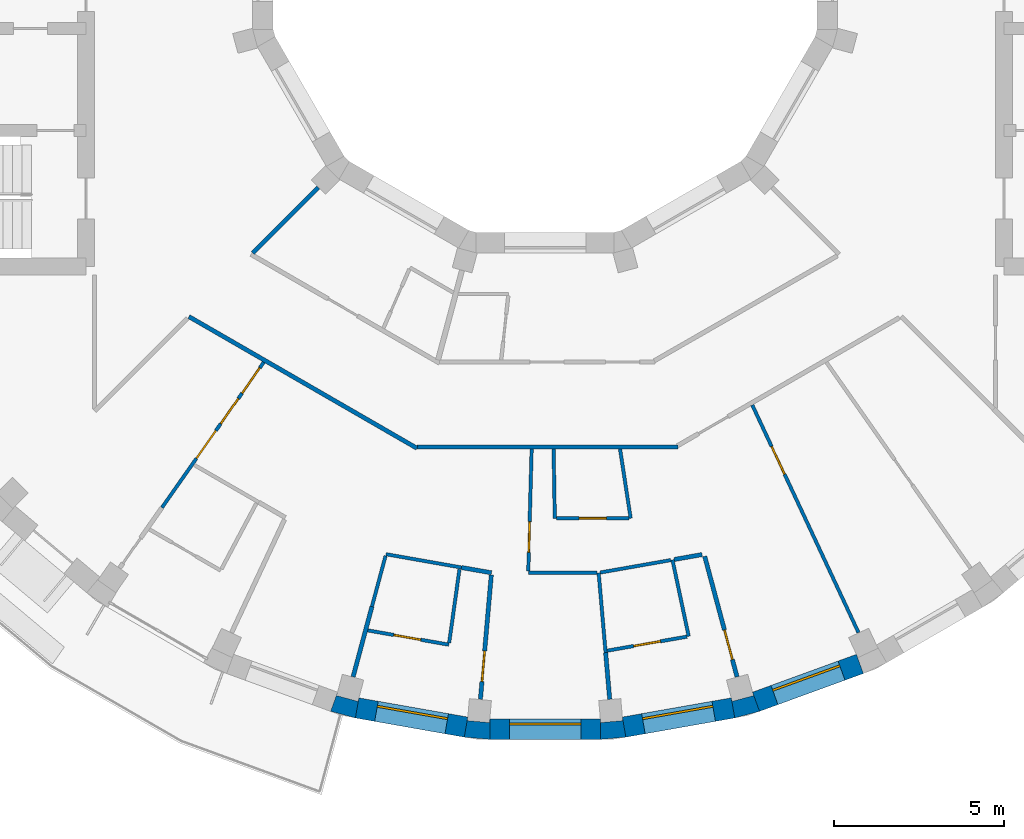
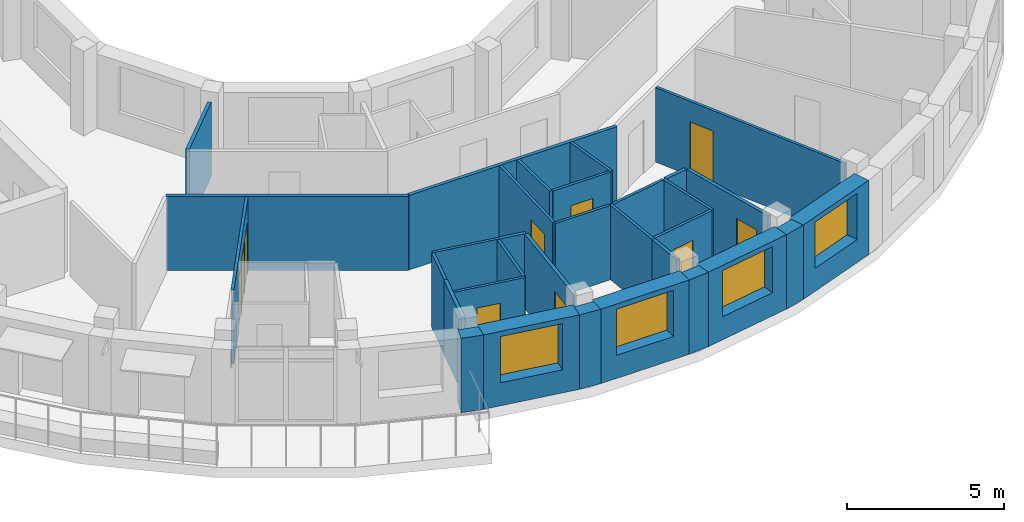
# One storey, part 4 of 12: 32 walls, 10 doors, 4 windows, 14 openings.
"""IFC4 building model written with IfcOpenShell, lengths in metres."""

import ifcopenshell
import ifcopenshell.guid

model = None  # the IFC model being written
_history = None  # IfcOwnerHistory: only IFC2X3 demands one
_inside = {}  # id of a spatial element -> (the spatial element, [elements in it])
_under = {}  # id of a project, library or spatial element -> (it, [spatial elements below it])
_declared = {}  # id of a project -> (the project, [libraries it declares])
_typed = {}  # id of a type object -> (the type object, [elements of that type])
_made_of = {}  # id of a material, layer set ... -> (it, [elements and type objects made of it])


def new_model(schema):
    """Start an empty IFC model of exactly this schema.

    Asked for "IFC4X3", IfcOpenShell would pick the latest addendum, in which some entities
    have other attributes; the version numbers below select the first issue.
    IFC2X3 requires an IfcOwnerHistory on every rooted entity: one is made here for all.
    """
    global model, _history
    if schema == "IFC4X3":
        model = ifcopenshell.file(schema_version=(4, 3, 0, 0))
    else:
        model = ifcopenshell.file(schema=schema)
    _inside.clear()
    _under.clear()
    _declared.clear()
    _typed.clear()
    _made_of.clear()
    _history = None
    if model.schema == "IFC2X3":
        org = make("IfcOrganization", Name="unknown")
        user = make(
            "IfcPersonAndOrganization",
            ThePerson=make("IfcPerson", FamilyName="unknown"),
            TheOrganization=org,
        )
        app = make(
            "IfcApplication",
            ApplicationDeveloper=org,
            Version="unknown",
            ApplicationFullName="unknown",
            ApplicationIdentifier="unknown",
        )
        _history = make(
            "IfcOwnerHistory",
            OwningUser=user,
            OwningApplication=app,
            ChangeAction="ADDED",
            CreationDate=0,
        )
    return model


def make(cls, **values):
    """One entity of the class cls with the attributes given. An attribute that is None is left unset."""
    return model.create_entity(
        cls, **{name: value for name, value in values.items() if value is not None}
    )


def rooted(cls, **values):
    """An entity with a GlobalId (a new one), such as an element, a storey or a relation."""
    return make(cls, GlobalId=ifcopenshell.guid.new(), OwnerHistory=_history, **values)


def si_unit(unit_type, name, prefix=None):
    """IfcSIUnit, for example si_unit("LENGTHUNIT", "METRE", prefix="MILLI")."""
    return make("IfcSIUnit", UnitType=unit_type, Prefix=prefix, Name=name)


def assignment(units):
    """IfcUnitAssignment: the units of a project."""
    return None if units is None else make("IfcUnitAssignment", Units=units)


def point(xyz):
    """IfcCartesianPoint."""
    return None if xyz is None else make("IfcCartesianPoint", Coordinates=xyz)


def direction(xyz):
    """IfcDirection."""
    return None if xyz is None else make("IfcDirection", DirectionRatios=xyz)


def frame(location, z_axis=None, x_axis=None):
    """IfcAxis2Placement3D, a coordinate frame: its origin and axes. An axis left out is left unset."""
    return make(
        "IfcAxis2Placement3D",
        Location=point(location),
        Axis=direction(z_axis),
        RefDirection=direction(x_axis),
    )


def frame_2d(location, x_axis=None):
    """IfcAxis2Placement2D, a coordinate frame in the plane: its origin and x axis."""
    return make(
        "IfcAxis2Placement2D", Location=point(location), RefDirection=direction(x_axis)
    )


def origin():
    """The frame at (0, 0, 0) with its axes left unset."""
    return frame((0.0, 0.0, 0.0))


def place(relative_to, where):
    """IfcLocalPlacement: puts the frame where relative to a parent placement (None: the world)."""
    return make(
        "IfcLocalPlacement", PlacementRelTo=relative_to, RelativePlacement=where
    )


def context(
    kind, dimensions, precision=None, world=None, true_north=None, identifier=None
):
    """IfcGeometricRepresentationContext, for example the 3D "Model" context."""
    return make(
        "IfcGeometricRepresentationContext",
        ContextIdentifier=identifier,
        ContextType=kind,
        CoordinateSpaceDimension=dimensions,
        Precision=precision,
        WorldCoordinateSystem=world,
        TrueNorth=true_north,
    )


def subcontext(parent, identifier, kind, view, scale=None):
    """IfcGeometricRepresentationSubContext, for example "Body" below "Model"."""
    return make(
        "IfcGeometricRepresentationSubContext",
        ContextIdentifier=identifier,
        ContextType=kind,
        ParentContext=parent,
        TargetScale=scale,
        TargetView=view,
    )


def project(units=None, contexts=None):
    """IfcProject with its units and contexts."""
    return rooted(
        "IfcProject",
        Name="project",
        RepresentationContexts=contexts,
        UnitsInContext=assignment(units),
    )


def spatial(cls, under=None, at=None, **own):
    """A site, building, storey or space (cls), placed at a placement, below another one or the project."""
    s = rooted(cls, ObjectPlacement=at, **own)
    if under is not None:
        _under.setdefault(under.id(), (under, []))[1].append(s)
    return s


def polyline(points):
    """IfcPolyline through the points."""
    return make("IfcPolyline", Points=[point(p) for p in points])


def profile(cls, at=None, kind="AREA", **sizes):
    """A parametric profile (cls). Its sizes go by their IFC names, for example OverallWidth=200.0."""
    return make(cls, ProfileType=kind, Position=at, **sizes)


def rectangle(**sizes):
    """IfcRectangleProfileDef."""
    return profile("IfcRectangleProfileDef", **sizes)


def outline(outer, holes=None, kind="AREA"):
    """IfcArbitraryClosedProfileDef: a profile drawn as a closed curve; with holes, ...WithVoids."""
    if holes is None:
        return make("IfcArbitraryClosedProfileDef", ProfileType=kind, OuterCurve=outer)
    return make(
        "IfcArbitraryProfileDefWithVoids",
        ProfileType=kind,
        OuterCurve=outer,
        InnerCurves=holes,
    )


def extrude(swept, where, along, depth):
    """IfcExtrudedAreaSolid: the profile swept, set in the frame where, extruded along a direction by depth."""
    return make(
        "IfcExtrudedAreaSolid",
        SweptArea=swept,
        Position=where,
        ExtrudedDirection=direction(along),
        Depth=depth,
    )


def shape(context_of_items, identifier, shape_type, items):
    """IfcShapeRepresentation: the items that make up one representation, for example the "Body"."""
    return make(
        "IfcShapeRepresentation",
        ContextOfItems=context_of_items,
        RepresentationIdentifier=identifier,
        RepresentationType=shape_type,
        Items=items,
    )


def material(Name=None, Category=None):
    """IfcMaterial."""
    return make("IfcMaterial", Name=Name, Category=Category)


def layer(
    of_material, thickness, ventilated=None, Name=None, Category=None, Priority=None
):
    """IfcMaterialLayer: one layer of a wall or slab, of a material (None: an air gap)."""
    return make(
        "IfcMaterialLayer",
        Material=of_material,
        LayerThickness=thickness,
        IsVentilated=ventilated,
        Name=Name,
        Category=Category,
        Priority=Priority,
    )


def layer_set(layers, Name=None):
    """IfcMaterialLayerSet."""
    return make("IfcMaterialLayerSet", MaterialLayers=layers, LayerSetName=Name)


def made_of(thing, what):
    """Note that an element or type object is made of a material, layer set ...; save() writes the relation."""
    if what is not None:
        _made_of.setdefault(what.id(), (what, []))[1].append(thing)
    return thing


def type_object(cls, material=None, **own):
    """A type object (cls), such as IfcWallType, which elements share."""
    return made_of(rooted(cls, **own), material)


def element(
    cls,
    number,
    at=None,
    inside=None,
    cuts=None,
    type_object=None,
    material=None,
    context=None,
    identifier="Body",
    shape_type=None,
    held_by="IfcProductDefinitionShape",
    body=None,
    shapes=None,
    **own,
):
    """One element of the class cls, such as IfcWall. Its Tag is "e" and its number.

    at: its placement. inside: the storey or other place that contains it. cuts: it is an
    opening in that element (IfcRelVoidsElement). A single representation is given by context,
    identifier, shape_type and body (its items); several are given by shapes. held_by: the class
    of the entity that holds the representations. save() writes the other relations.
    """
    e = rooted(cls, Tag="e%d" % number, ObjectPlacement=at, **own)
    if body is not None:
        shapes = [shape(context, identifier, shape_type, body)]
    if shapes is not None:
        e.Representation = make(held_by, Representations=shapes)
    if inside is not None:
        _inside.setdefault(inside.id(), (inside, []))[1].append(e)
    if cuts is not None:
        rooted(
            "IfcRelVoidsElement", RelatingBuildingElement=cuts, RelatedOpeningElement=e
        )
    if type_object is not None:
        _typed.setdefault(type_object.id(), (type_object, []))[1].append(e)
    return made_of(e, material)


def fill(opening, filler):
    """IfcRelFillsElement: the door or window that sits in an opening."""
    return rooted(
        "IfcRelFillsElement",
        RelatingOpeningElement=opening,
        RelatedBuildingElement=filler,
    )


def aggregate(whole, parts):
    """IfcRelAggregates: a whole, such as a stair, and the parts it consists of."""
    return rooted("IfcRelAggregates", RelatingObject=whole, RelatedObjects=parts)


def save(model, path):
    """Write the relations noted so far, then the file.

    IfcRelAggregates (storeys below a building ...), IfcRelContainedInSpatialStructure (elements
    in a storey), IfcRelDefinesByType, IfcRelAssociatesMaterial and IfcRelDeclares: one each for
    every whole, place, type object, material and project.
    """
    for whole, parts in _under.values():
        aggregate(whole, parts)
    for where, things in _inside.values():
        rooted(
            "IfcRelContainedInSpatialStructure",
            RelatedElements=things,
            RelatingStructure=where,
        )
    for kind, things in _typed.values():
        rooted("IfcRelDefinesByType", RelatedObjects=things, RelatingType=kind)
    for what, things in _made_of.values():
        rooted("IfcRelAssociatesMaterial", RelatedObjects=things, RelatingMaterial=what)
    for by, libraries in _declared.values():
        rooted("IfcRelDeclares", RelatingContext=by, RelatedDefinitions=libraries)
    model.write(path)


model = new_model("IFC4")

# Units and contexts
model_context = context("Model", 3, precision=1e-05, world=origin(), true_north=direction((0.0, 1.0)))
body_context = subcontext(model_context, "Body", "Model", "MODEL_VIEW")
ifc_project = project(units=[si_unit("LENGTHUNIT", "METRE"), si_unit("AREAUNIT", "SQUARE_METRE"), si_unit("VOLUMEUNIT", "CUBIC_METRE"), si_unit("PLANEANGLEUNIT", "RADIAN"), si_unit("MASSUNIT", "GRAM", prefix="KILO")], contexts=[model_context])

# Site, building, storey
site_placement = place(None, origin())
site = spatial("IfcSite", under=ifc_project, at=site_placement, CompositionType="ELEMENT")
building_placement = place(site_placement, origin())
building = spatial("IfcBuilding", under=site, at=building_placement, Name="Saqina Gate Tower", CompositionType="ELEMENT")
storey_placement = place(building_placement, frame((0.0, 0.0, 259.39990234375)))
storey = spatial("IfcBuildingStorey", under=building, at=storey_placement, Name="L74", CompositionType="ELEMENT", Elevation=259.39990234375)

# Walls
ifc_material_1 = material(Name="Brick masonry (buff)", Category="masonry")
wall_type_1 = type_object("IfcWallType", Name="BRICK PIER COPING BUFF", PredefinedType="SOLIDWALL", material=ifc_material_1)
wall_1_placement = place(storey_placement, origin())
element("IfcWall", 1, at=wall_1_placement, inside=storey, type_object=wall_type_1, Name="Pier cap L74 column 26", PredefinedType="SOLIDWALL", context=body_context, shape_type="SweptSolid", body=[
    extrude(outline(polyline([(-5.579833984375, -22.281982421875), (-5.4755859375, -21.691162109375), (-5.5029296875, -21.793212890625), (-6.130859375, -21.625), (-6.103515625, -21.52294921875), (-6.30859375, -22.0869140625), (-5.579833984375, -22.281982421875)])), origin(), (0.0, 0.0, 1.0), 2.900146484375),
])
wall_2_placement = place(storey_placement, origin())
element("IfcWall", 2, at=wall_2_placement, inside=storey, type_object=wall_type_1, Name="Pier cap L74 column 27", PredefinedType="SOLIDWALL", context=body_context, shape_type="SweptSolid", body=[
    extrude(outline(polyline([(-2.377685546875, -22.8466796875), (-1.625732421875, -22.91259765625), (-1.625732421875, -22.3125), (-1.635009765625, -22.417724609375), (-2.28271484375, -22.361083984375), (-2.2734375, -22.255859375), (-2.377685546875, -22.8466796875)])), origin(), (0.0, 0.0, 1.0), 2.900146484375),
])
wall_3_placement = place(storey_placement, origin())
element("IfcWall", 3, at=wall_3_placement, inside=storey, type_object=wall_type_1, Name="Pier cap L74 column 28", PredefinedType="SOLIDWALL", context=body_context, shape_type="SweptSolid", body=[
    extrude(outline(polyline([(1.625732421875, -22.91259765625), (2.377685546875, -22.8466796875), (2.2734375, -22.255859375), (2.28271484375, -22.361083984375), (1.635009765625, -22.417724609375), (1.625732421875, -22.3125), (1.625732421875, -22.91259765625)])), origin(), (0.0, 0.0, 1.0), 2.900146484375),
])
wall_4_placement = place(storey_placement, origin())
element("IfcWall", 4, at=wall_4_placement, inside=storey, type_object=wall_type_1, Name="Pier cap L74 column 29", PredefinedType="SOLIDWALL", context=body_context, shape_type="SweptSolid", body=[
    extrude(outline(polyline([(6.30859375, -22.0869140625), (6.103515625, -21.52294921875), (6.130859375, -21.625), (5.5029296875, -21.793212890625), (5.4755859375, -21.691162109375), (5.579833984375, -22.281982421875), (6.30859375, -22.0869140625)])), origin(), (0.0, 0.0, 1.0), 2.900146484375),
])

# Wall, opening, window
ifc_material_2 = material(Name="Brick masonry (buff)", Category="masonry")
ifc_layer_1 = layer(ifc_material_2, 0.60009765625)
ifc_layer_set_1 = layer_set([ifc_layer_1], Name="FW-BRICK-BUFF")
wall_type_2 = type_object("IfcWallType", Name="FW-BRICK-BUFF", PredefinedType="SOLIDWALL", material=ifc_layer_set_1)
wall_5_placement = place(storey_placement, frame((-5.52783203125, -21.986572265625, 0.0), z_axis=(0.0, 0.0, 1.0), x_axis=(0.984806225186, -0.173656842178, 0.0)))
wall_5 = element("IfcWall", 5, at=wall_5_placement, inside=storey, type_object=wall_type_2, Name="Facade wall L74 facet 26", PredefinedType="SOLIDWALL", context=body_context, shape_type="SweptSolid", body=[
    extrude(rectangle(XDim=3.251708984375, YDim=0.60009765625, at=frame_2d((1.6259765625, 0.0))), origin(), (0.0, 0.0, 1.0), 2.900146484375),
])
opening_1_placement = place(wall_5_placement, frame((0.57568359375, 0.0, 0.89990234375)))
opening_1 = element("IfcOpeningElement", 6, at=opening_1_placement, cuts=wall_5, Name="Opening G22-W15", PredefinedType="OPENING", context=body_context, shape_type="SweptSolid", body=[
    extrude(rectangle(XDim=2.10009765625, YDim=1.800048828125, at=frame_2d((1.050048828125, 0.89990234375))), frame((0.0, 0.31201171875, 0.0), z_axis=(0.0, -1.0, 0.0), x_axis=(1.0, 0.0, 0.0)), (0.0, 0.0, 1.0), 0.6240234375),
])
ifc_material_3 = material(Name="Aluminium glazing", Category="aluminium")
window_type = type_object("IfcWindowType", Name="WN-D", PartitioningType="SINGLE_PANEL", PredefinedType="WINDOW", material=ifc_material_3)
window_1_placement = place(opening_1_placement, origin())
window_1 = element("IfcWindow", 7, at=window_1_placement, inside=storey, type_object=window_type, Name="Window L74 facet 26", OverallHeight=1.800048828125, OverallWidth=2.10009765625, PartitioningType="SINGLE_PANEL", PredefinedType="WINDOW", context=body_context, shape_type="SweptSolid", body=[
    extrude(rectangle(XDim=2.10009765625, YDim=1.800048828125, at=frame_2d((1.050048828125, 0.89990234375))), frame((0.0, 0.179931640625, 0.0), z_axis=(0.0, -1.0, 0.0), x_axis=(1.0, 0.0, 0.0)), (0.0, 0.0, 1.0), 0.06005859375),
])
fill(opening_1, window_1)

wall_6_placement = place(storey_placement, frame((-1.625732421875, -22.612548828125, 0.0), z_axis=(0.0, 0.0, 1.0), x_axis=(1.0, 0.0, 0.0)))
wall_6 = element("IfcWall", 8, at=wall_6_placement, inside=storey, type_object=wall_type_2, Name="Facade wall L74 facet 27", PredefinedType="SOLIDWALL", context=body_context, shape_type="SweptSolid", body=[
    extrude(rectangle(XDim=3.25146484375, YDim=0.60009765625, at=frame_2d((1.625732421875, 0.0))), origin(), (0.0, 0.0, 1.0), 2.900146484375),
])
opening_2_placement = place(wall_6_placement, frame((0.57568359375, 0.0, 0.89990234375)))
opening_2 = element("IfcOpeningElement", 9, at=opening_2_placement, cuts=wall_6, Name="Opening G22-W16", PredefinedType="OPENING", context=body_context, shape_type="SweptSolid", body=[
    extrude(rectangle(XDim=2.10009765625, YDim=1.800048828125, at=frame_2d((1.050048828125, 0.89990234375))), frame((0.0, 0.31201171875, 0.0), z_axis=(0.0, -1.0, 0.0), x_axis=(1.0, 0.0, 0.0)), (0.0, 0.0, 1.0), 0.6240234375),
])
window_2_placement = place(opening_2_placement, origin())
window_2 = element("IfcWindow", 10, at=window_2_placement, inside=storey, type_object=window_type, Name="Window L74 facet 27", OverallHeight=1.800048828125, OverallWidth=2.10009765625, PartitioningType="SINGLE_PANEL", PredefinedType="WINDOW", context=body_context, shape_type="SweptSolid", body=[
    extrude(rectangle(XDim=2.10009765625, YDim=1.800048828125, at=frame_2d((1.050048828125, 0.89990234375))), frame((0.0, 0.179931640625, 0.0), z_axis=(0.0, -1.0, 0.0), x_axis=(1.0, 0.0, 0.0)), (0.0, 0.0, 1.0), 0.06005859375),
])
fill(opening_2, window_2)

wall_7_placement = place(storey_placement, frame((2.325439453125, -22.55126953125, 0.0), z_axis=(0.0, 0.0, 1.0), x_axis=(0.984806225186, 0.173656842178, 0.0)))
wall_7 = element("IfcWall", 11, at=wall_7_placement, inside=storey, type_object=wall_type_2, Name="Facade wall L74 facet 28", PredefinedType="SOLIDWALL", context=body_context, shape_type="SweptSolid", body=[
    extrude(rectangle(XDim=3.251708984375, YDim=0.60009765625, at=frame_2d((1.6259765625, 0.0))), origin(), (0.0, 0.0, 1.0), 2.900146484375),
])
opening_3_placement = place(wall_7_placement, frame((0.57568359375, 0.0, 0.89990234375)))
opening_3 = element("IfcOpeningElement", 12, at=opening_3_placement, cuts=wall_7, Name="Opening G22-W17", PredefinedType="OPENING", context=body_context, shape_type="SweptSolid", body=[
    extrude(rectangle(XDim=2.10009765625, YDim=1.800048828125, at=frame_2d((1.050048828125, 0.89990234375))), frame((0.0, 0.31201171875, 0.0), z_axis=(0.0, -1.0, 0.0), x_axis=(1.0, 0.0, 0.0)), (0.0, 0.0, 1.0), 0.6240234375),
])
window_3_placement = place(opening_3_placement, origin())
window_3 = element("IfcWindow", 13, at=window_3_placement, inside=storey, type_object=window_type, Name="Window L74 facet 28", OverallHeight=1.800048828125, OverallWidth=2.10009765625, PartitioningType="SINGLE_PANEL", PredefinedType="WINDOW", context=body_context, shape_type="SweptSolid", body=[
    extrude(rectangle(XDim=2.10009765625, YDim=1.800048828125, at=frame_2d((1.050048828125, 0.89990234375))), frame((0.0, 0.179931640625, 0.0), z_axis=(0.0, -1.0, 0.0), x_axis=(1.0, 0.0, 0.0)), (0.0, 0.0, 1.0), 0.06005859375),
])
fill(opening_3, window_3)

wall_8_placement = place(storey_placement, frame((6.2060546875, -21.804931640625, 0.0), z_axis=(0.0, 0.0, 1.0), x_axis=(0.939679383794, 0.342056509473, 0.0)))
wall_8 = element("IfcWall", 14, at=wall_8_placement, inside=storey, type_object=wall_type_2, Name="Facade wall L74 facet 29", PredefinedType="SOLIDWALL", context=body_context, shape_type="SweptSolid", body=[
    extrude(rectangle(XDim=3.251708984375, YDim=0.60009765625, at=frame_2d((1.6259765625, 0.0))), origin(), (0.0, 0.0, 1.0), 2.900146484375),
])
opening_4_placement = place(wall_8_placement, frame((0.57568359375, 0.0, 0.89990234375)))
opening_4 = element("IfcOpeningElement", 15, at=opening_4_placement, cuts=wall_8, Name="Opening G22-W18", PredefinedType="OPENING", context=body_context, shape_type="SweptSolid", body=[
    extrude(rectangle(XDim=2.10009765625, YDim=1.800048828125, at=frame_2d((1.050048828125, 0.89990234375))), frame((0.0, 0.31201171875, 0.0), z_axis=(0.0, -1.0, 0.0), x_axis=(1.0, 0.0, 0.0)), (0.0, 0.0, 1.0), 0.6240234375),
])
window_4_placement = place(opening_4_placement, origin())
window_4 = element("IfcWindow", 16, at=window_4_placement, inside=storey, type_object=window_type, Name="Window L74 facet 29", OverallHeight=1.800048828125, OverallWidth=2.10009765625, PartitioningType="SINGLE_PANEL", PredefinedType="WINDOW", context=body_context, shape_type="SweptSolid", body=[
    extrude(rectangle(XDim=2.10009765625, YDim=1.800048828125, at=frame_2d((1.050048828125, 0.89990234375))), frame((0.0, 0.179931640625, 0.0), z_axis=(0.0, -1.0, 0.0), x_axis=(1.0, 0.0, 0.0)), (0.0, 0.0, 1.0), 0.06005859375),
])
fill(opening_4, window_4)

# Walls
ifc_material_4 = material(Name="Gypsum board on steel studs, 100 mm", Category="steel")
ifc_layer_2 = layer(ifc_material_4, 0.10009765625)
ifc_layer_set_2 = layer_set([ifc_layer_2], Name="PARTITION 100")
wall_type_3 = type_object("IfcWallType", Name="PARTITION 100", PredefinedType="PARTITIONING", material=ifc_layer_set_2)
wall_9_placement = place(storey_placement, frame((0.2509765625, -14.37255859375, 0.0), z_axis=(0.0, 0.0, 1.0), x_axis=(0.017133494207, -0.999853210915, 0.0)))
element("IfcWall", 17, at=wall_9_placement, inside=storey, type_object=wall_type_3, Name="PARTITION PW3-01", PredefinedType="PARTITIONING", context=body_context, shape_type="SweptSolid", body=[
    extrude(rectangle(XDim=2.03759765625, YDim=0.10009765625, at=frame_2d((1.018798828125, 0.0))), origin(), (0.0, 0.0, 1.0), 2.900146484375),
])
wall_10_placement = place(storey_placement, frame((1.575927734375, -18.011962890625, 0.0), z_axis=(0.0, 0.0, 1.0), x_axis=(0.087044975162, -0.996204382795, 0.0)))
element("IfcWall", 18, at=wall_10_placement, inside=storey, type_object=wall_type_3, Name="PARTITION PW3-02", PredefinedType="PARTITIONING", context=body_context, shape_type="SweptSolid", body=[
    extrude(rectangle(XDim=2.35888671875, YDim=0.10009765625, at=frame_2d((1.179443359375, 0.0))), origin(), (0.0, 0.0, 1.0), 2.900146484375),
])
wall_11_placement = place(storey_placement, frame((2.20556640625, -14.371826171875, 0.0), z_axis=(0.0, 0.0, 1.0), x_axis=(0.151514148926, -0.988455088851, 0.0)))
element("IfcWall", 19, at=wall_11_placement, inside=storey, type_object=wall_type_3, Name="PARTITION PW3-04", PredefinedType="PARTITIONING", context=body_context, shape_type="SweptSolid", body=[
    extrude(rectangle(XDim=2.060791015625, YDim=0.10009765625, at=frame_2d((1.0302734375, 0.0))), origin(), (0.0, 0.0, 1.0), 2.900146484375),
])
wall_12_placement = place(storey_placement, frame((3.7470703125, -17.6298828125, 0.0), z_axis=(0.0, 0.0, 1.0), x_axis=(0.207710310325, -0.978190383813, 0.0)))
element("IfcWall", 20, at=wall_12_placement, inside=storey, type_object=wall_type_3, Name="PARTITION PW3-05", PredefinedType="PARTITIONING", context=body_context, shape_type="SweptSolid", body=[
    extrude(rectangle(XDim=2.301513671875, YDim=0.10009765625, at=frame_2d((1.15087890625, 0.0))), origin(), (0.0, 0.0, 1.0), 2.900146484375),
])

# Wall, opening, door
wall_13_placement = place(storey_placement, frame((6.094970703125, -13.07666015625, 0.0), z_axis=(0.0, 0.0, 1.0), x_axis=(0.422939739386, -0.906157810124, 0.0)))
wall_13 = element("IfcWall", 21, at=wall_13_placement, inside=storey, type_object=wall_type_3, Name="PARTITION PW3-10", PredefinedType="PARTITIONING", context=body_context, shape_type="SweptSolid", body=[
    extrude(rectangle(XDim=7.3876953125, YDim=0.10009765625, at=frame_2d((3.69384765625, 0.0))), origin(), (0.0, 0.0, 1.0), 2.900146484375),
])
opening_5_placement = place(wall_13_placement, frame((1.344970703125, 0.0, 0.0)))
opening_5 = element("IfcOpeningElement", 22, at=opening_5_placement, cuts=wall_13, Name="Opening G22-D41", PredefinedType="OPENING", context=body_context, shape_type="SweptSolid", body=[
    extrude(rectangle(XDim=0.89990234375, YDim=2.10009765625, at=frame_2d((0.449951171875, 1.050048828125))), frame((0.0, 0.06201171875, 0.0), z_axis=(0.0, -1.0, 0.0), x_axis=(1.0, 0.0, 0.0)), (0.0, 0.0, 1.0), 0.1240234375),
])
ifc_material_5 = material(Name="Timber door leaf, 900 mm", Category="wood")
door_type_1 = type_object("IfcDoorType", Name="DOOR 900 TIMBER", OperationType="SINGLE_SWING_LEFT", PredefinedType="DOOR", material=ifc_material_5)
door_1_placement = place(opening_5_placement, frame((0.89990234375, 0.0, 0.0), z_axis=(0.0, 0.0, 1.0), x_axis=(-1.0, 0.0, 0.0)))
door_1 = element("IfcDoor", 23, at=door_1_placement, inside=storey, type_object=door_type_1, Name="DOOR G22-D41", OperationType="SINGLE_SWING_RIGHT", OverallHeight=2.10009765625, OverallWidth=0.89990234375, PredefinedType="DOOR", context=body_context, shape_type="SweptSolid", body=[
    extrude(rectangle(XDim=0.89990234375, YDim=2.10009765625, at=frame_2d((0.449951171875, 1.050048828125))), frame((0.0, 0.02490234375, 0.0), z_axis=(0.0, -1.0, 0.0), x_axis=(1.0, 0.0, 0.0)), (0.0, 0.0, 1.0), 0.050048828125),
])
fill(opening_5, door_1)

wall_14_placement = place(storey_placement, frame((-5.21533203125, -19.705810546875, 0.0), z_axis=(0.0, 0.0, 1.0), x_axis=(0.984780515727, -0.173802577208, 0.0)))
wall_14 = element("IfcWall", 24, at=wall_14_placement, inside=storey, type_object=wall_type_3, Name="PARTITION PW3-23", PredefinedType="PARTITIONING", context=body_context, shape_type="SweptSolid", body=[
    extrude(rectangle(XDim=2.423095703125, YDim=0.10009765625, at=frame_2d((1.21142578125, 0.0))), origin(), (0.0, 0.0, 1.0), 2.900146484375),
])
opening_6_placement = place(wall_14_placement, frame((0.780517578125, 0.0, 0.0)))
opening_6 = element("IfcOpeningElement", 25, at=opening_6_placement, cuts=wall_14, Name="Opening G22-D31", PredefinedType="OPENING", context=body_context, shape_type="SweptSolid", body=[
    extrude(rectangle(XDim=0.800048828125, YDim=2.10009765625, at=frame_2d((0.39990234375, 1.050048828125))), frame((0.0, 0.06201171875, 0.0), z_axis=(0.0, -1.0, 0.0), x_axis=(1.0, 0.0, 0.0)), (0.0, 0.0, 1.0), 0.1240234375),
])
ifc_material_6 = material(Name="Timber door leaf, 800 mm", Category="wood")
door_type_2 = type_object("IfcDoorType", Name="DOOR 800 TIMBER", OperationType="SINGLE_SWING_LEFT", PredefinedType="DOOR", material=ifc_material_6)
door_2_placement = place(opening_6_placement, frame((0.800048828125, 0.0, 0.0), z_axis=(0.0, 0.0, 1.0), x_axis=(-1.0, 0.0, 0.0)))
door_2 = element("IfcDoor", 26, at=door_2_placement, inside=storey, type_object=door_type_2, Name="DOOR G22-D31", OperationType="SINGLE_SWING_RIGHT", OverallHeight=2.10009765625, OverallWidth=0.800048828125, PredefinedType="DOOR", context=body_context, shape_type="SweptSolid", body=[
    extrude(rectangle(XDim=0.800048828125, YDim=2.10009765625, at=frame_2d((0.39990234375, 1.050048828125))), frame((0.0, 0.02490234375, 0.0), z_axis=(0.0, -1.0, 0.0), x_axis=(1.0, 0.0, 0.0)), (0.0, 0.0, 1.0), 0.050048828125),
])
fill(opening_6, door_2)

# Walls
wall_15_placement = place(storey_placement, frame((-4.678955078125, -17.465087890625, 0.0), z_axis=(0.0, 0.0, 1.0), x_axis=(0.984785740028, -0.173772973268, 0.0)))
element("IfcWall", 27, at=wall_15_placement, inside=storey, type_object=wall_type_3, Name="PARTITION PW3-24", PredefinedType="PARTITIONING", context=body_context, shape_type="SweptSolid", body=[
    extrude(rectangle(XDim=2.25341796875, YDim=0.10009765625, at=frame_2d((1.126708984375, 0.0))), origin(), (0.0, 0.0, 1.0), 2.900146484375),
])
wall_16_placement = place(storey_placement, frame((-0.492919921875, -18.011962890625, 0.0), z_axis=(0.0, 0.0, 1.0), x_axis=(1.0, 0.0, 0.0)))
element("IfcWall", 28, at=wall_16_placement, inside=storey, type_object=wall_type_3, Name="PARTITION PW3-26", PredefinedType="PARTITIONING", context=body_context, shape_type="SweptSolid", body=[
    extrude(rectangle(XDim=2.017822265625, YDim=0.10009765625, at=frame_2d((1.0087890625, 0.0))), origin(), (0.0, 0.0, 1.0), 2.900146484375),
])

# Wall, opening, door
wall_17_placement = place(storey_placement, frame((0.337890625, -16.409912109375, 0.0), z_axis=(0.0, 0.0, 1.0), x_axis=(1.0, 0.0, 0.0)))
wall_17 = element("IfcWall", 29, at=wall_17_placement, inside=storey, type_object=wall_type_3, Name="PARTITION PW3-27", PredefinedType="PARTITIONING", context=body_context, shape_type="SweptSolid", body=[
    extrude(rectangle(XDim=2.128173828125, YDim=0.10009765625, at=frame_2d((1.06396484375, 0.0))), origin(), (0.0, 0.0, 1.0), 2.900146484375),
])
opening_7_placement = place(wall_17_placement, frame((0.6640625, 0.0, 0.0)))
opening_7 = element("IfcOpeningElement", 30, at=opening_7_placement, cuts=wall_17, Name="Opening G22-D36", PredefinedType="OPENING", context=body_context, shape_type="SweptSolid", body=[
    extrude(rectangle(XDim=0.800048828125, YDim=2.10009765625, at=frame_2d((0.39990234375, 1.050048828125))), frame((0.0, 0.06201171875, 0.0), z_axis=(0.0, -1.0, 0.0), x_axis=(1.0, 0.0, 0.0)), (0.0, 0.0, 1.0), 0.1240234375),
])
door_3_placement = place(opening_7_placement, frame((0.800048828125, 0.0, 0.0), z_axis=(0.0, 0.0, 1.0), x_axis=(-1.0, 0.0, 0.0)))
door_3 = element("IfcDoor", 31, at=door_3_placement, inside=storey, type_object=door_type_2, Name="DOOR G22-D36", OperationType="SINGLE_SWING_RIGHT", OverallHeight=2.10009765625, OverallWidth=0.800048828125, PredefinedType="DOOR", context=body_context, shape_type="SweptSolid", body=[
    extrude(rectangle(XDim=0.800048828125, YDim=2.10009765625, at=frame_2d((0.39990234375, 1.050048828125))), frame((0.0, 0.02490234375, 0.0), z_axis=(0.0, -1.0, 0.0), x_axis=(1.0, 0.0, 0.0)), (0.0, 0.0, 1.0), 0.050048828125),
])
fill(opening_7, door_3)

wall_18_placement = place(storey_placement, frame((1.826416015625, -20.30322265625, 0.0), z_axis=(0.0, 0.0, 1.0), x_axis=(0.984856623516, 0.173370790838, 0.0)))
wall_18 = element("IfcWall", 32, at=wall_18_placement, inside=storey, type_object=wall_type_3, Name="PARTITION PW3-31", PredefinedType="PARTITIONING", context=body_context, shape_type="SweptSolid", body=[
    extrude(rectangle(XDim=2.385498046875, YDim=0.10009765625, at=frame_2d((1.19287109375, 0.0))), origin(), (0.0, 0.0, 1.0), 2.900146484375),
])
opening_8_placement = place(wall_18_placement, frame((0.792724609375, 0.0, 0.0)))
opening_8 = element("IfcOpeningElement", 33, at=opening_8_placement, cuts=wall_18, Name="Opening G22-D37", PredefinedType="OPENING", context=body_context, shape_type="SweptSolid", body=[
    extrude(rectangle(XDim=0.800048828125, YDim=2.10009765625, at=frame_2d((0.39990234375, 1.050048828125))), frame((0.0, 0.06201171875, 0.0), z_axis=(0.0, -1.0, 0.0), x_axis=(1.0, 0.0, 0.0)), (0.0, 0.0, 1.0), 0.1240234375),
])
door_4_placement = place(opening_8_placement, frame((0.800048828125, 0.0, 0.0), z_axis=(0.0, 0.0, 1.0), x_axis=(-1.0, 0.0, 0.0)))
door_4 = element("IfcDoor", 34, at=door_4_placement, inside=storey, type_object=door_type_2, Name="DOOR G22-D37", OperationType="SINGLE_SWING_LEFT", OverallHeight=2.10009765625, OverallWidth=0.800048828125, PredefinedType="DOOR", context=body_context, shape_type="SweptSolid", body=[
    extrude(rectangle(XDim=0.800048828125, YDim=2.10009765625, at=frame_2d((0.39990234375, 1.050048828125))), frame((0.0, 0.02490234375, 0.0), z_axis=(0.0, -1.0, 0.0), x_axis=(1.0, 0.0, 0.0)), (0.0, 0.0, 1.0), 0.050048828125),
])
fill(opening_8, door_4)

# Wall
wall_19_placement = place(storey_placement, frame((1.625244140625, -18.00341796875, 0.0), z_axis=(0.0, 0.0, 1.0), x_axis=(0.984864041574, 0.173328646261, 0.0)))
element("IfcWall", 35, at=wall_19_placement, inside=storey, type_object=wall_type_3, Name="PARTITION PW3-32", PredefinedType="PARTITIONING", context=body_context, shape_type="SweptSolid", body=[
    extrude(rectangle(XDim=2.104248046875, YDim=0.10009765625, at=frame_2d((1.05224609375, 0.0))), origin(), (0.0, 0.0, 1.0), 2.900146484375),
])

# Wall, openings, doors
wall_20_placement = place(storey_placement, frame((-11.26904296875, -16.09423828125, 0.0), z_axis=(0.0, 0.0, 1.0), x_axis=(0.573597334784, 0.819137410651, 0.0)))
wall_20 = element("IfcWall", 36, at=wall_20_placement, inside=storey, type_object=wall_type_3, Name="PARTITION PW3-39", PredefinedType="PARTITIONING", context=body_context, shape_type="SweptSolid", body=[
    extrude(rectangle(XDim=5.218994140625, YDim=0.10009765625, at=frame_2d((2.609375, 0.0))), origin(), (0.0, 0.0, 1.0), 2.900146484375),
])
opening_9_placement = place(wall_20_placement, frame((4.1142578125, 0.0, 0.0)))
opening_9 = element("IfcOpeningElement", 37, at=opening_9_placement, cuts=wall_20, Name="Opening G22-D24", PredefinedType="OPENING", context=body_context, shape_type="SweptSolid", body=[
    extrude(rectangle(XDim=0.89990234375, YDim=2.10009765625, at=frame_2d((0.449951171875, 1.050048828125))), frame((0.0, 0.06201171875, 0.0), z_axis=(0.0, -1.0, 0.0), x_axis=(1.0, 0.0, 0.0)), (0.0, 0.0, 1.0), 0.1240234375),
])
opening_10_placement = place(wall_20_placement, frame((3.01416015625, 0.0, 0.0)))
opening_10 = element("IfcOpeningElement", 38, at=opening_10_placement, cuts=wall_20, Name="Opening G22-D25", PredefinedType="OPENING", context=body_context, shape_type="SweptSolid", body=[
    extrude(rectangle(XDim=0.89990234375, YDim=2.10009765625, at=frame_2d((0.449951171875, 1.050048828125))), frame((0.0, 0.06201171875, 0.0), z_axis=(0.0, -1.0, 0.0), x_axis=(1.0, 0.0, 0.0)), (0.0, 0.0, 1.0), 0.1240234375),
])
opening_11_placement = place(wall_20_placement, frame((1.76416015625, 0.0, 0.0)))
opening_11 = element("IfcOpeningElement", 39, at=opening_11_placement, cuts=wall_20, Name="Opening G22-D26", PredefinedType="OPENING", context=body_context, shape_type="SweptSolid", body=[
    extrude(rectangle(XDim=1.0, YDim=2.10009765625, at=frame_2d((0.5, 1.050048828125))), frame((0.0, 0.06201171875, 0.0), z_axis=(0.0, -1.0, 0.0), x_axis=(1.0, 0.0, 0.0)), (0.0, 0.0, 1.0), 0.1240234375),
])
ifc_material_7 = material(Name="Timber door leaf, 1000 mm", Category="wood")
door_type_3 = type_object("IfcDoorType", Name="DOOR 1000 TIMBER", OperationType="SINGLE_SWING_LEFT", PredefinedType="DOOR", material=ifc_material_7)
door_5_placement = place(opening_11_placement, frame((1.0, 0.0, 0.0), z_axis=(0.0, 0.0, 1.0), x_axis=(-1.0, 0.0, 0.0)))
door_5 = element("IfcDoor", 40, at=door_5_placement, inside=storey, type_object=door_type_3, Name="DOOR G22-D26", OperationType="SINGLE_SWING_RIGHT", OverallHeight=2.10009765625, OverallWidth=1.0, PredefinedType="DOOR", context=body_context, shape_type="SweptSolid", body=[
    extrude(rectangle(XDim=1.0, YDim=2.10009765625, at=frame_2d((0.5, 1.050048828125))), frame((0.0, 0.02490234375, 0.0), z_axis=(0.0, -1.0, 0.0), x_axis=(1.0, 0.0, 0.0)), (0.0, 0.0, 1.0), 0.050048828125),
])
fill(opening_11, door_5)
door_6_placement = place(opening_9_placement, frame((0.89990234375, 0.0, 0.0), z_axis=(0.0, 0.0, 1.0), x_axis=(-1.0, 0.0, 0.0)))
door_6 = element("IfcDoor", 41, at=door_6_placement, inside=storey, type_object=door_type_1, Name="DOOR G22-D24", OperationType="SINGLE_SWING_LEFT", OverallHeight=2.10009765625, OverallWidth=0.89990234375, PredefinedType="DOOR", context=body_context, shape_type="SweptSolid", body=[
    extrude(rectangle(XDim=0.89990234375, YDim=2.10009765625, at=frame_2d((0.449951171875, 1.050048828125))), frame((0.0, 0.02490234375, 0.0), z_axis=(0.0, -1.0, 0.0), x_axis=(1.0, 0.0, 0.0)), (0.0, 0.0, 1.0), 0.050048828125),
])
fill(opening_9, door_6)
door_7_placement = place(opening_10_placement, frame((0.89990234375, 0.0, 0.0), z_axis=(0.0, 0.0, 1.0), x_axis=(-1.0, 0.0, 0.0)))
door_7 = element("IfcDoor", 42, at=door_7_placement, inside=storey, type_object=door_type_1, Name="DOOR G22-D25", OperationType="SINGLE_SWING_LEFT", OverallHeight=2.10009765625, OverallWidth=0.89990234375, PredefinedType="DOOR", context=body_context, shape_type="SweptSolid", body=[
    extrude(rectangle(XDim=0.89990234375, YDim=2.10009765625, at=frame_2d((0.449951171875, 1.050048828125))), frame((0.0, 0.02490234375, 0.0), z_axis=(0.0, -1.0, 0.0), x_axis=(1.0, 0.0, 0.0)), (0.0, 0.0, 1.0), 0.050048828125),
])
fill(opening_10, door_7)

# Walls
wall_21_placement = place(storey_placement, frame((-5.093017578125, -19.00732421875, 0.0), z_axis=(0.0, 0.0, 1.0), x_axis=(0.259175252444, 0.965830310417, 0.0)))
element("IfcWall", 43, at=wall_21_placement, inside=storey, type_object=wall_type_3, Name="PARTITION PW3-49", PredefinedType="PARTITIONING", context=body_context, shape_type="SweptSolid", body=[
    extrude(rectangle(XDim=1.546630859375, YDim=0.10009765625, at=frame_2d((0.7734375, 0.0))), origin(), (0.0, 0.0, 1.0), 2.900146484375),
])
wall_22_placement = place(storey_placement, frame((-2.822021484375, -20.077392578125, 0.0), z_axis=(0.0, 0.0, 1.0), x_axis=(0.139000144369, 0.990292360803, 0.0)))
element("IfcWall", 44, at=wall_22_placement, inside=storey, type_object=wall_type_3, Name="PARTITION PW3-51", PredefinedType="PARTITIONING", context=body_context, shape_type="SweptSolid", body=[
    extrude(rectangle(XDim=2.1884765625, YDim=0.10009765625, at=frame_2d((1.09423828125, 0.0))), origin(), (0.0, 0.0, 1.0), 2.900146484375),
])

# Wall, opening, door
wall_23_placement = place(storey_placement, frame((-0.49365234375, -17.9609375, 0.0), z_axis=(0.0, 0.0, 1.0), x_axis=(0.027544314619, 0.999620583388, 0.0)))
wall_23 = element("IfcWall", 45, at=wall_23_placement, inside=storey, type_object=wall_type_3, Name="PARTITION PW3-54", PredefinedType="PARTITIONING", context=body_context, shape_type="SweptSolid", body=[
    extrude(rectangle(XDim=3.58984375, YDim=0.10009765625, at=frame_2d((1.794921875, 0.0))), origin(), (0.0, 0.0, 1.0), 2.900146484375),
])
opening_12_placement = place(wall_23_placement, frame((0.55126953125, 0.0, 0.0)))
opening_12 = element("IfcOpeningElement", 46, at=opening_12_placement, cuts=wall_23, Name="Opening G22-D34", PredefinedType="OPENING", context=body_context, shape_type="SweptSolid", body=[
    extrude(rectangle(XDim=0.89990234375, YDim=2.10009765625, at=frame_2d((0.449951171875, 1.050048828125))), frame((0.0, 0.06201171875, 0.0), z_axis=(0.0, -1.0, 0.0), x_axis=(1.0, 0.0, 0.0)), (0.0, 0.0, 1.0), 0.1240234375),
])
door_8_placement = place(opening_12_placement, origin())
door_8 = element("IfcDoor", 47, at=door_8_placement, inside=storey, type_object=door_type_1, Name="DOOR G22-D34", OperationType="SINGLE_SWING_LEFT", OverallHeight=2.10009765625, OverallWidth=0.89990234375, PredefinedType="DOOR", context=body_context, shape_type="SweptSolid", body=[
    extrude(rectangle(XDim=0.89990234375, YDim=2.10009765625, at=frame_2d((0.449951171875, 1.050048828125))), frame((0.0, 0.02490234375, 0.0), z_axis=(0.0, -1.0, 0.0), x_axis=(1.0, 0.0, 0.0)), (0.0, 0.0, 1.0), 0.050048828125),
])
fill(opening_12, door_8)

# Wall
ifc_material_8 = material(Name="Gypsum board on steel studs, 125 mm, fire rated", Category="steel")
ifc_layer_3 = layer(ifc_material_8, 0.125)
ifc_layer_set_3 = layer_set([ifc_layer_3], Name="PARTITION EI 30 125")
wall_type_4 = type_object("IfcWallType", Name="PARTITION EI 30 125", PredefinedType="PARTITIONING", material=ifc_layer_set_3)
wall_24_placement = place(storey_placement, frame((1.781494140625, -20.36181640625, 0.0), z_axis=(0.0, 0.0, 1.0), x_axis=(0.08715814214, -0.996194488169, 0.0)))
element("IfcWall", 48, at=wall_24_placement, inside=storey, type_object=wall_type_4, Name="PARTITION PW1-01", PredefinedType="PARTITIONING", context=body_context, shape_type="SweptSolid", body=[
    extrude(rectangle(XDim=1.375244140625, YDim=0.125, at=frame_2d((0.6875, 0.0))), origin(), (0.0, 0.0, 1.0), 2.900146484375),
])

# Wall, opening, door
wall_25_placement = place(storey_placement, frame((4.69482421875, -17.525634765625, 0.0), z_axis=(0.0, 0.0, 1.0), x_axis=(0.259210267256, -0.965820913705, 0.0)))
wall_25 = element("IfcWall", 49, at=wall_25_placement, inside=storey, type_object=wall_type_4, Name="PARTITION PW1-02", PredefinedType="PARTITIONING", context=body_context, shape_type="SweptSolid", body=[
    extrude(rectangle(XDim=3.67138671875, YDim=0.125, at=frame_2d((1.835693359375, 0.0))), origin(), (0.0, 0.0, 1.0), 2.900146484375),
])
opening_13_placement = place(wall_25_placement, frame((2.24560546875, 0.0, 0.0)))
opening_13 = element("IfcOpeningElement", 50, at=opening_13_placement, cuts=wall_25, Name="Opening G22-D39", PredefinedType="OPENING", context=body_context, shape_type="SweptSolid", body=[
    extrude(rectangle(XDim=0.89990234375, YDim=2.10009765625, at=frame_2d((0.449951171875, 1.050048828125))), frame((0.0, 0.074462890625, 0.0), z_axis=(0.0, -1.0, 0.0), x_axis=(1.0, 0.0, 0.0)), (0.0, 0.0, 1.0), 0.14892578125),
])
ifc_material_9 = material(Name="Fire door leaf EI 30, 900 mm")
door_type_4 = type_object("IfcDoorType", Name="DOOR 900 EI 30", OperationType="SINGLE_SWING_LEFT", PredefinedType="DOOR", material=ifc_material_9)
door_9_placement = place(opening_13_placement, origin())
door_9 = element("IfcDoor", 51, at=door_9_placement, inside=storey, type_object=door_type_4, Name="DOOR G22-D39", OperationType="SINGLE_SWING_RIGHT", OverallHeight=2.10009765625, OverallWidth=0.89990234375, PredefinedType="DOOR", context=body_context, shape_type="SweptSolid", body=[
    extrude(rectangle(XDim=0.89990234375, YDim=2.10009765625, at=frame_2d((0.449951171875, 1.050048828125))), frame((0.0, 0.02490234375, 0.0), z_axis=(0.0, -1.0, 0.0), x_axis=(1.0, 0.0, 0.0)), (0.0, 0.0, 1.0), 0.050048828125),
])
fill(opening_13, door_9)

# Walls
wall_26_placement = place(storey_placement, frame((-10.47607421875, -10.47607421875, 0.0), z_axis=(0.0, 0.0, 1.0), x_axis=(0.866073222863, -0.499917165778, 0.0)))
element("IfcWall", 52, at=wall_26_placement, inside=storey, type_object=wall_type_4, Name="PARTITION PW1-11", PredefinedType="PARTITIONING", context=body_context, shape_type="SweptSolid", body=[
    extrude(rectangle(XDim=7.742431640625, YDim=0.125, at=frame_2d((3.87109375, 0.0))), origin(), (0.0, 0.0, 1.0), 2.900146484375),
])
wall_27_placement = place(storey_placement, frame((-2.459716796875, -17.856689453125, 0.0), z_axis=(0.0, 0.0, 1.0), x_axis=(0.984914749924, -0.173040270981, 0.0)))
element("IfcWall", 53, at=wall_27_placement, inside=storey, type_object=wall_type_4, Name="PARTITION PW1-16", PredefinedType="PARTITIONING", context=body_context, shape_type="SweptSolid", body=[
    extrude(rectangle(XDim=0.897216796875, YDim=0.125, at=frame_2d((0.44873046875, 0.0))), origin(), (0.0, 0.0, 1.0), 2.900146484375),
])
wall_28_placement = place(storey_placement, frame((-3.7705078125, -14.31005859375, 0.0), z_axis=(0.0, 0.0, 1.0), x_axis=(1.0, 0.0, 0.0)))
element("IfcWall", 54, at=wall_28_placement, inside=storey, type_object=wall_type_4, Name="PARTITION PW1-17", PredefinedType="PARTITIONING", context=body_context, shape_type="SweptSolid", body=[
    extrude(rectangle(XDim=7.6767578125, YDim=0.125, at=frame_2d((3.83837890625, 0.0))), origin(), (0.0, 0.0, 1.0), 2.900146484375),
])
wall_29_placement = place(storey_placement, frame((3.796142578125, -17.621337890625, 0.0), z_axis=(0.0, 0.0, 1.0), x_axis=(0.984715706085, 0.174169395101, 0.0)))
element("IfcWall", 55, at=wall_29_placement, inside=storey, type_object=wall_type_4, Name="PARTITION PW1-22", PredefinedType="PARTITIONING", context=body_context, shape_type="SweptSolid", body=[
    extrude(rectangle(XDim=0.833984375, YDim=0.125, at=frame_2d((0.4169921875, 0.0))), origin(), (0.0, 0.0, 1.0), 2.900146484375),
])
wall_30_placement = place(storey_placement, frame((-8.601806640625, -8.601806640625, 0.0), z_axis=(0.0, 0.0, 1.0), x_axis=(0.707106781187, 0.707106781187, 0.0)))
element("IfcWall", 56, at=wall_30_placement, inside=storey, type_object=wall_type_4, Name="PARTITION PW1-31", PredefinedType="PARTITIONING", context=body_context, shape_type="SweptSolid", body=[
    extrude(rectangle(XDim=2.722412109375, YDim=0.125, at=frame_2d((1.361328125, 0.0))), origin(), (0.0, 0.0, 1.0), 2.900146484375),
])
wall_31_placement = place(storey_placement, frame((-5.646728515625, -21.071533203125, 0.0), z_axis=(0.0, 0.0, 1.0), x_axis=(0.259084380683, 0.965854690772, 0.0)))
element("IfcWall", 57, at=wall_31_placement, inside=storey, type_object=wall_type_4, Name="PARTITION PW1-39", PredefinedType="PARTITIONING", context=body_context, shape_type="SweptSolid", body=[
    extrude(rectangle(XDim=2.13720703125, YDim=0.125, at=frame_2d((1.068603515625, 0.0))), origin(), (0.0, 0.0, 1.0), 2.900146484375),
])

# Wall, opening, door
wall_32_placement = place(storey_placement, frame((-1.9013671875, -21.73193359375, 0.0), z_axis=(0.0, 0.0, 1.0), x_axis=(0.087128997152, 0.996197037666, 0.0)))
wall_32 = element("IfcWall", 58, at=wall_32_placement, inside=storey, type_object=wall_type_4, Name="PARTITION PW1-41", PredefinedType="PARTITIONING", context=body_context, shape_type="SweptSolid", body=[
    extrude(rectangle(XDim=3.670654296875, YDim=0.125, at=frame_2d((1.83544921875, 0.0))), origin(), (0.0, 0.0, 1.0), 2.900146484375),
])
opening_14_placement = place(wall_32_placement, frame((0.52490234375, 0.0, 0.0)))
opening_14 = element("IfcOpeningElement", 59, at=opening_14_placement, cuts=wall_32, Name="Opening G22-D33", PredefinedType="OPENING", context=body_context, shape_type="SweptSolid", body=[
    extrude(rectangle(XDim=0.89990234375, YDim=2.10009765625, at=frame_2d((0.449951171875, 1.050048828125))), frame((0.0, 0.074462890625, 0.0), z_axis=(0.0, -1.0, 0.0), x_axis=(1.0, 0.0, 0.0)), (0.0, 0.0, 1.0), 0.14892578125),
])
door_10_placement = place(opening_14_placement, frame((0.89990234375, 0.0, 0.0), z_axis=(0.0, 0.0, 1.0), x_axis=(-1.0, 0.0, 0.0)))
door_10 = element("IfcDoor", 60, at=door_10_placement, inside=storey, type_object=door_type_4, Name="DOOR G22-D33", OperationType="SINGLE_SWING_RIGHT", OverallHeight=2.10009765625, OverallWidth=0.89990234375, PredefinedType="DOOR", context=body_context, shape_type="SweptSolid", body=[
    extrude(rectangle(XDim=0.89990234375, YDim=2.10009765625, at=frame_2d((0.449951171875, 1.050048828125))), frame((0.0, 0.02490234375, 0.0), z_axis=(0.0, -1.0, 0.0), x_axis=(1.0, 0.0, 0.0)), (0.0, 0.0, 1.0), 0.050048828125),
])
fill(opening_14, door_10)

save(model, "model.ifc")
